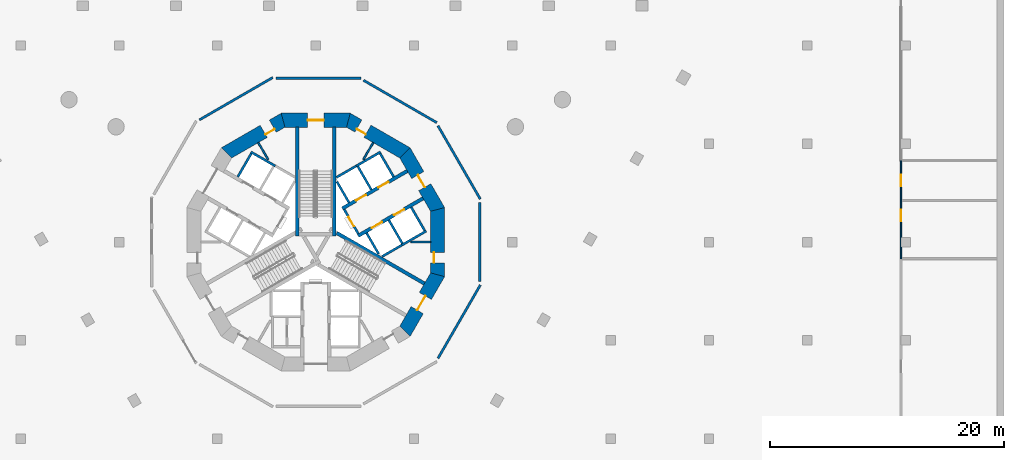
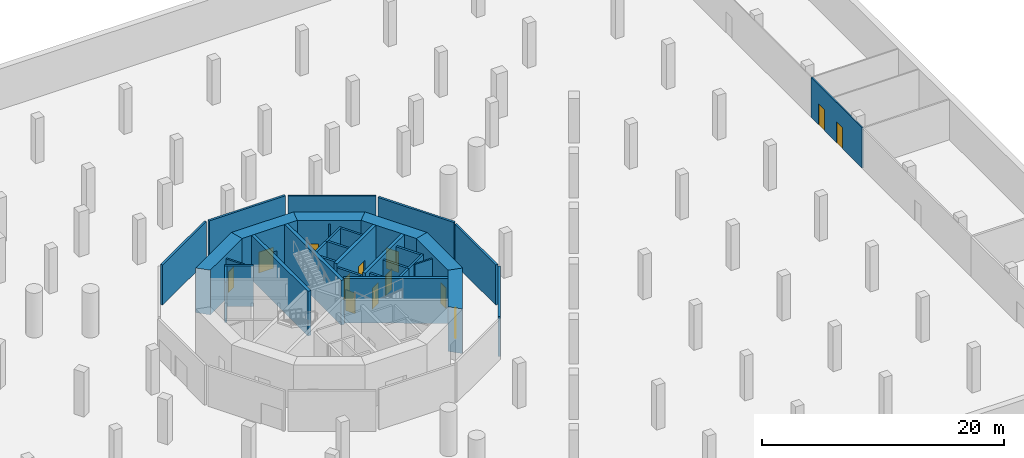
# One storey, part 7 of 21: 34 walls, 13 doors, 13 openings.
"""IFC4 building model written with IfcOpenShell, lengths in metres."""

import ifcopenshell
import ifcopenshell.guid

model = None  # the IFC model being written
_history = None  # IfcOwnerHistory: only IFC2X3 demands one
_inside = {}  # id of a spatial element -> (the spatial element, [elements in it])
_under = {}  # id of a project, library or spatial element -> (it, [spatial elements below it])
_declared = {}  # id of a project -> (the project, [libraries it declares])
_typed = {}  # id of a type object -> (the type object, [elements of that type])
_made_of = {}  # id of a material, layer set ... -> (it, [elements and type objects made of it])


def new_model(schema):
    """Start an empty IFC model of exactly this schema.

    Asked for "IFC4X3", IfcOpenShell would pick the latest addendum, in which some entities
    have other attributes; the version numbers below select the first issue.
    IFC2X3 requires an IfcOwnerHistory on every rooted entity: one is made here for all.
    """
    global model, _history
    if schema == "IFC4X3":
        model = ifcopenshell.file(schema_version=(4, 3, 0, 0))
    else:
        model = ifcopenshell.file(schema=schema)
    _inside.clear()
    _under.clear()
    _declared.clear()
    _typed.clear()
    _made_of.clear()
    _history = None
    if model.schema == "IFC2X3":
        org = make("IfcOrganization", Name="unknown")
        user = make(
            "IfcPersonAndOrganization",
            ThePerson=make("IfcPerson", FamilyName="unknown"),
            TheOrganization=org,
        )
        app = make(
            "IfcApplication",
            ApplicationDeveloper=org,
            Version="unknown",
            ApplicationFullName="unknown",
            ApplicationIdentifier="unknown",
        )
        _history = make(
            "IfcOwnerHistory",
            OwningUser=user,
            OwningApplication=app,
            ChangeAction="ADDED",
            CreationDate=0,
        )
    return model


def make(cls, **values):
    """One entity of the class cls with the attributes given. An attribute that is None is left unset."""
    return model.create_entity(
        cls, **{name: value for name, value in values.items() if value is not None}
    )


def rooted(cls, **values):
    """An entity with a GlobalId (a new one), such as an element, a storey or a relation."""
    return make(cls, GlobalId=ifcopenshell.guid.new(), OwnerHistory=_history, **values)


def si_unit(unit_type, name, prefix=None):
    """IfcSIUnit, for example si_unit("LENGTHUNIT", "METRE", prefix="MILLI")."""
    return make("IfcSIUnit", UnitType=unit_type, Prefix=prefix, Name=name)


def assignment(units):
    """IfcUnitAssignment: the units of a project."""
    return None if units is None else make("IfcUnitAssignment", Units=units)


def point(xyz):
    """IfcCartesianPoint."""
    return None if xyz is None else make("IfcCartesianPoint", Coordinates=xyz)


def direction(xyz):
    """IfcDirection."""
    return None if xyz is None else make("IfcDirection", DirectionRatios=xyz)


def frame(location, z_axis=None, x_axis=None):
    """IfcAxis2Placement3D, a coordinate frame: its origin and axes. An axis left out is left unset."""
    return make(
        "IfcAxis2Placement3D",
        Location=point(location),
        Axis=direction(z_axis),
        RefDirection=direction(x_axis),
    )


def frame_2d(location, x_axis=None):
    """IfcAxis2Placement2D, a coordinate frame in the plane: its origin and x axis."""
    return make(
        "IfcAxis2Placement2D", Location=point(location), RefDirection=direction(x_axis)
    )


def origin():
    """The frame at (0, 0, 0) with its axes left unset."""
    return frame((0.0, 0.0, 0.0))


def place(relative_to, where):
    """IfcLocalPlacement: puts the frame where relative to a parent placement (None: the world)."""
    return make(
        "IfcLocalPlacement", PlacementRelTo=relative_to, RelativePlacement=where
    )


def context(
    kind, dimensions, precision=None, world=None, true_north=None, identifier=None
):
    """IfcGeometricRepresentationContext, for example the 3D "Model" context."""
    return make(
        "IfcGeometricRepresentationContext",
        ContextIdentifier=identifier,
        ContextType=kind,
        CoordinateSpaceDimension=dimensions,
        Precision=precision,
        WorldCoordinateSystem=world,
        TrueNorth=true_north,
    )


def subcontext(parent, identifier, kind, view, scale=None):
    """IfcGeometricRepresentationSubContext, for example "Body" below "Model"."""
    return make(
        "IfcGeometricRepresentationSubContext",
        ContextIdentifier=identifier,
        ContextType=kind,
        ParentContext=parent,
        TargetScale=scale,
        TargetView=view,
    )


def project(units=None, contexts=None):
    """IfcProject with its units and contexts."""
    return rooted(
        "IfcProject",
        Name="project",
        RepresentationContexts=contexts,
        UnitsInContext=assignment(units),
    )


def spatial(cls, under=None, at=None, **own):
    """A site, building, storey or space (cls), placed at a placement, below another one or the project."""
    s = rooted(cls, ObjectPlacement=at, **own)
    if under is not None:
        _under.setdefault(under.id(), (under, []))[1].append(s)
    return s


def polyline(points):
    """IfcPolyline through the points."""
    return make("IfcPolyline", Points=[point(p) for p in points])


def profile(cls, at=None, kind="AREA", **sizes):
    """A parametric profile (cls). Its sizes go by their IFC names, for example OverallWidth=200.0."""
    return make(cls, ProfileType=kind, Position=at, **sizes)


def rectangle(**sizes):
    """IfcRectangleProfileDef."""
    return profile("IfcRectangleProfileDef", **sizes)


def outline(outer, holes=None, kind="AREA"):
    """IfcArbitraryClosedProfileDef: a profile drawn as a closed curve; with holes, ...WithVoids."""
    if holes is None:
        return make("IfcArbitraryClosedProfileDef", ProfileType=kind, OuterCurve=outer)
    return make(
        "IfcArbitraryProfileDefWithVoids",
        ProfileType=kind,
        OuterCurve=outer,
        InnerCurves=holes,
    )


def extrude(swept, where, along, depth):
    """IfcExtrudedAreaSolid: the profile swept, set in the frame where, extruded along a direction by depth."""
    return make(
        "IfcExtrudedAreaSolid",
        SweptArea=swept,
        Position=where,
        ExtrudedDirection=direction(along),
        Depth=depth,
    )


def shape(context_of_items, identifier, shape_type, items):
    """IfcShapeRepresentation: the items that make up one representation, for example the "Body"."""
    return make(
        "IfcShapeRepresentation",
        ContextOfItems=context_of_items,
        RepresentationIdentifier=identifier,
        RepresentationType=shape_type,
        Items=items,
    )


def material(Name=None, Category=None):
    """IfcMaterial."""
    return make("IfcMaterial", Name=Name, Category=Category)


def layer(
    of_material, thickness, ventilated=None, Name=None, Category=None, Priority=None
):
    """IfcMaterialLayer: one layer of a wall or slab, of a material (None: an air gap)."""
    return make(
        "IfcMaterialLayer",
        Material=of_material,
        LayerThickness=thickness,
        IsVentilated=ventilated,
        Name=Name,
        Category=Category,
        Priority=Priority,
    )


def layer_set(layers, Name=None):
    """IfcMaterialLayerSet."""
    return make("IfcMaterialLayerSet", MaterialLayers=layers, LayerSetName=Name)


def made_of(thing, what):
    """Note that an element or type object is made of a material, layer set ...; save() writes the relation."""
    if what is not None:
        _made_of.setdefault(what.id(), (what, []))[1].append(thing)
    return thing


def type_object(cls, material=None, **own):
    """A type object (cls), such as IfcWallType, which elements share."""
    return made_of(rooted(cls, **own), material)


def element(
    cls,
    number,
    at=None,
    inside=None,
    cuts=None,
    type_object=None,
    material=None,
    context=None,
    identifier="Body",
    shape_type=None,
    held_by="IfcProductDefinitionShape",
    body=None,
    shapes=None,
    **own,
):
    """One element of the class cls, such as IfcWall. Its Tag is "e" and its number.

    at: its placement. inside: the storey or other place that contains it. cuts: it is an
    opening in that element (IfcRelVoidsElement). A single representation is given by context,
    identifier, shape_type and body (its items); several are given by shapes. held_by: the class
    of the entity that holds the representations. save() writes the other relations.
    """
    e = rooted(cls, Tag="e%d" % number, ObjectPlacement=at, **own)
    if body is not None:
        shapes = [shape(context, identifier, shape_type, body)]
    if shapes is not None:
        e.Representation = make(held_by, Representations=shapes)
    if inside is not None:
        _inside.setdefault(inside.id(), (inside, []))[1].append(e)
    if cuts is not None:
        rooted(
            "IfcRelVoidsElement", RelatingBuildingElement=cuts, RelatedOpeningElement=e
        )
    if type_object is not None:
        _typed.setdefault(type_object.id(), (type_object, []))[1].append(e)
    return made_of(e, material)


def fill(opening, filler):
    """IfcRelFillsElement: the door or window that sits in an opening."""
    return rooted(
        "IfcRelFillsElement",
        RelatingOpeningElement=opening,
        RelatedBuildingElement=filler,
    )


def aggregate(whole, parts):
    """IfcRelAggregates: a whole, such as a stair, and the parts it consists of."""
    return rooted("IfcRelAggregates", RelatingObject=whole, RelatedObjects=parts)


def save(model, path):
    """Write the relations noted so far, then the file.

    IfcRelAggregates (storeys below a building ...), IfcRelContainedInSpatialStructure (elements
    in a storey), IfcRelDefinesByType, IfcRelAssociatesMaterial and IfcRelDeclares: one each for
    every whole, place, type object, material and project.
    """
    for whole, parts in _under.values():
        aggregate(whole, parts)
    for where, things in _inside.values():
        rooted(
            "IfcRelContainedInSpatialStructure",
            RelatedElements=things,
            RelatingStructure=where,
        )
    for kind, things in _typed.values():
        rooted("IfcRelDefinesByType", RelatedObjects=things, RelatingType=kind)
    for what, things in _made_of.values():
        rooted("IfcRelAssociatesMaterial", RelatedObjects=things, RelatingMaterial=what)
    for by, libraries in _declared.values():
        rooted("IfcRelDeclares", RelatingContext=by, RelatedDefinitions=libraries)
    model.write(path)


model = new_model("IFC4")

# Units and contexts
model_context = context("Model", 3, precision=1e-05, world=origin(), true_north=direction((0.0, 1.0)))
body_context = subcontext(model_context, "Body", "Model", "MODEL_VIEW")
ifc_project = project(units=[si_unit("LENGTHUNIT", "METRE"), si_unit("AREAUNIT", "SQUARE_METRE"), si_unit("VOLUMEUNIT", "CUBIC_METRE"), si_unit("PLANEANGLEUNIT", "RADIAN"), si_unit("MASSUNIT", "GRAM", prefix="KILO")], contexts=[model_context])

# Site, building, storey
site_placement = place(None, origin())
site = spatial("IfcSite", under=ifc_project, at=site_placement, CompositionType="ELEMENT")
building_placement = place(site_placement, origin())
building = spatial("IfcBuilding", under=site, at=building_placement, Name="Trine Commons Tower", CompositionType="ELEMENT")
storey_placement = place(building_placement, frame((0.0, 0.0, -4.5)))
storey = spatial("IfcBuildingStorey", under=building, at=storey_placement, Name="B1", CompositionType="ELEMENT", Elevation=-4.5)

# Walls
ifc_material_1 = material(Name="Plasterboard partition on steel studs", Category="steel")
ifc_layer_1 = layer(ifc_material_1, 0.14990234375)
ifc_layer_set_1 = layer_set([ifc_layer_1], Name="Plasterboard partition on steel studs")
wall_type_1 = type_object("IfcWallType", Name="Core room partition 150 mm, EI 60", PredefinedType="PARTITIONING", material=ifc_layer_set_1)
for number, where, z_axis, x_axis, name in (
    (1, (75.094970703125, 70.9970703125, 0.0), (0.0, 0.0, 1.0), (0.500115728942, -0.865958577338, 0.0), "Core room partition B1"),
    (2, (84.905029296875, 70.9970703125, 0.0), (0.0, 0.0, 1.0), (-0.500115728942, -0.865958577338, 0.0), "Core room partition B1"),
):
    element("IfcWall", number, at=place(storey_placement, frame(where, z_axis=z_axis, x_axis=x_axis)), inside=storey, type_object=wall_type_1, Name=name, PredefinedType="PARTITIONING", context=body_context, shape_type="SweptSolid", body=[
        extrude(rectangle(XDim=1.68359375, YDim=0.14990234375, at=frame_2d((0.841796875, 0.0))), origin(), (0.0, 0.0, 1.0), 4.10009765625),
    ])
wall_1_placement = place(storey_placement, frame((89.81201171875, 62.5, 0.0), z_axis=(0.0, 0.0, 1.0), x_axis=(-1.0, 0.0, 0.0)))
element("IfcWall", 3, at=wall_1_placement, inside=storey, type_object=wall_type_1, Name="Core room partition B1", PredefinedType="PARTITIONING", context=body_context, shape_type="SweptSolid", body=[
    extrude(rectangle(XDim=1.68310546875, YDim=0.14990234375, at=frame_2d((0.841552734375, 0.0))), origin(), (0.0, 0.0, 1.0), 4.10009765625),
])
ifc_material_2 = material(Name="Plasterboard on steel stud", Category="steel")
ifc_layer_2 = layer(ifc_material_2, 0.199951171875)
ifc_layer_set_2 = layer_set([ifc_layer_2], Name="Plasterboard on steel stud")
wall_type_2 = type_object("IfcWallType", Name="Fire wall 200 mm, EI 120", PredefinedType="PARTITIONING", material=ifc_layer_set_2)
for number, where, z_axis, x_axis, name in (
    (4, (70.06591796875, 72.94384765625, 0.0), (0.0, 0.0, 1.0), (0.866037813005, 0.499978505984, 0.0), "Partition B1015"),
    (5, (76.618896484375, 76.511474609375, 0.0), (0.0, 0.0, 1.0), (1.0, 0.0, 0.0), "Partition B1017"),
):
    element("IfcWall", number, at=place(storey_placement, frame(where, z_axis=z_axis, x_axis=x_axis)), inside=storey, type_object=wall_type_2, Name=name, PredefinedType="PARTITIONING", context=body_context, shape_type="SweptSolid", body=[
        extrude(rectangle(XDim=7.235595703125, YDim=0.199951171875, at=frame_2d((3.61767578125, 0.0))), origin(), (0.0, 0.0, 1.0), 4.050048828125),
    ])
wall_2_placement = place(storey_placement, frame((84.07763671875, 76.324951171875, 0.0), z_axis=(0.0, 0.0, 1.0), x_axis=(0.866029378036, -0.499993116331, 0.0)))
element("IfcWall", 6, at=wall_2_placement, inside=storey, type_object=wall_type_2, Name="Partition B1019", PredefinedType="PARTITIONING", context=body_context, shape_type="SweptSolid", body=[
    extrude(rectangle(XDim=7.2353515625, YDim=0.199951171875, at=frame_2d((3.61767578125, 0.0))), origin(), (0.0, 0.0, 1.0), 4.050048828125),
])
for number, where, z_axis, x_axis, name in (
    (7, (90.44384765625, 52.56591796875, 0.0), (0.0, 0.0, 1.0), (0.499978505984, 0.866037813005, 0.0), "Partition B1020"),
    (8, (90.44384765625, 72.43408203125, 0.0), (0.0, 0.0, 1.0), (0.499978505984, -0.866037813005, 0.0), "Partition B1021"),
):
    element("IfcWall", number, at=place(storey_placement, frame(where, z_axis=z_axis, x_axis=x_axis)), inside=storey, type_object=wall_type_2, Name=name, PredefinedType="PARTITIONING", context=body_context, shape_type="SweptSolid", body=[
        extrude(rectangle(XDim=7.235595703125, YDim=0.199951171875, at=frame_2d((3.61767578125, 0.0))), origin(), (0.0, 0.0, 1.0), 4.050048828125),
    ])
wall_3_placement = place(storey_placement, frame((94.011474609375, 59.118896484375, 0.0), z_axis=(0.0, 0.0, 1.0), x_axis=(0.0, 1.0, 0.0)))
element("IfcWall", 9, at=wall_3_placement, inside=storey, type_object=wall_type_2, Name="Partition B1022", PredefinedType="PARTITIONING", context=body_context, shape_type="SweptSolid", body=[
    extrude(rectangle(XDim=6.76220703125, YDim=0.199951171875, at=frame_2d((3.381103515625, 0.0))), origin(), (0.0, 0.0, 1.0), 4.050048828125),
])

# Wall, opening, door
ifc_material_3 = material(Name="Fire-rated gypsum shaft wall system")
ifc_layer_3 = layer(ifc_material_3, 0.199951171875)
ifc_layer_set_3 = layer_set([ifc_layer_3], Name="Fire-rated gypsum shaft wall system")
wall_type_3 = type_object("IfcWallType", Name="Lobby end wall 200 mm, EI 120", PredefinedType="PARTITIONING", material=ifc_layer_set_3)
wall_4_placement = place(storey_placement, frame((83.631103515625, 63.2109375, 0.0), z_axis=(0.0, 0.0, 1.0), x_axis=(-0.50012165622, 0.865955154139, 0.0)))
wall_4 = element("IfcWall", 10, at=wall_4_placement, inside=storey, type_object=wall_type_3, Name="Lobby end wall B1", PredefinedType="PARTITIONING", context=body_context, shape_type="SweptSolid", body=[
    extrude(rectangle(XDim=2.39990234375, YDim=0.199951171875, at=frame_2d((1.199951171875, 0.0))), origin(), (0.0, 0.0, 1.0), 4.10009765625),
])
opening_1_placement = place(wall_4_placement, frame((0.749755859375, 0.0, 0.0)))
opening_1 = element("IfcOpeningElement", 11, at=opening_1_placement, cuts=wall_4, Name="Opening K02.05", PredefinedType="OPENING", context=body_context, shape_type="SweptSolid", body=[
    extrude(rectangle(XDim=0.89990234375, YDim=2.10009765625, at=frame_2d((0.449951171875, 1.050048828125))), frame((0.0, 0.10986328125, 0.0), z_axis=(0.0, -1.0, 0.0), x_axis=(1.0, 0.0, 0.0)), (0.0, 0.0, 1.0), 0.219970703125),
])
ifc_material_4 = material(Name="Steel door leaf, fire-rated", Category="steel")
door_type_1 = type_object("IfcDoorType", Name="Riser access door, single leaf 900 x 2100, FD60", OperationType="SINGLE_SWING_LEFT", PredefinedType="DOOR", material=ifc_material_4)
door_1_placement = place(opening_1_placement, frame((0.89990234375, 0.0, 0.0), z_axis=(0.0, 0.0, 1.0), x_axis=(-1.0, 0.0, 0.0)))
door_1 = element("IfcDoor", 12, at=door_1_placement, inside=storey, type_object=door_type_1, Name="Riser door, Electrical riser B1", OperationType="SINGLE_SWING_LEFT", OverallHeight=2.10009765625, OverallWidth=0.89990234375, PredefinedType="DOOR", context=body_context, shape_type="SweptSolid", body=[
    extrude(rectangle(XDim=0.89990234375, YDim=2.10009765625, at=frame_2d((0.449951171875, 1.050048828125))), frame((0.0, 0.02490234375, 0.0), z_axis=(0.0, -1.0, 0.0), x_axis=(1.0, 0.0, 0.0)), (0.0, 0.0, 1.0), 0.050048828125),
])
fill(opening_1, door_1)

ifc_material_5 = material(Name="Concrete C80/95", Category="concrete")
ifc_layer_4 = layer(ifc_material_5, 1.199951171875)
ifc_layer_set_4 = layer_set([ifc_layer_4], Name="Concrete C80/95")
wall_type_4 = type_object("IfcWallType", Name="RC shear wall 1200 mm, C80/95", PredefinedType="SHEAR", material=ifc_layer_set_4)
wall_5_placement = place(storey_placement, frame((90.41162109375, 59.549560546875, 0.0), z_axis=(0.0, 0.0, 1.0), x_axis=(0.0, 1.0, 0.0)))
wall_5 = element("IfcWall", 13, at=wall_5_placement, inside=storey, type_object=wall_type_4, Name="Core wall CWA-01 B1", PredefinedType="SHEAR", context=body_context, shape_type="SweptSolid", body=[
    extrude(outline(polyline([(0.0, -0.60009765625), (5.90087890625, -0.60009765625), (5.57958984375, 0.60009765625), (0.321533203125, 0.60009765625), (0.0, -0.60009765625)])), origin(), (0.0, 0.0, 1.0), 4.5),
])
opening_2_placement = place(wall_5_placement, frame((1.175537109375, 0.0, 0.0)))
opening_2 = element("IfcOpeningElement", 14, at=opening_2_placement, cuts=wall_5, Name="Opening K02.17", PredefinedType="OPENING", context=body_context, shape_type="SweptSolid", body=[
    extrude(rectangle(XDim=0.89990234375, YDim=2.10009765625, at=frame_2d((0.449951171875, 1.050048828125))), frame((0.0, 0.60986328125, 0.0), z_axis=(0.0, -1.0, 0.0), x_axis=(1.0, 0.0, 0.0)), (0.0, 0.0, 1.0), 1.219970703125),
])
door_type_2 = type_object("IfcDoorType", Name="Core room door, single leaf 900 x 2100, FD30S", OperationType="SINGLE_SWING_LEFT", PredefinedType="DOOR", material=ifc_material_4)
door_2_placement = place(opening_2_placement, origin())
door_2 = element("IfcDoor", 15, at=door_2_placement, inside=storey, type_object=door_type_2, Name="Door to Plant room B1", OperationType="SINGLE_SWING_LEFT", OverallHeight=2.10009765625, OverallWidth=0.89990234375, PredefinedType="DOOR", context=body_context, shape_type="SweptSolid", body=[
    extrude(rectangle(XDim=0.89990234375, YDim=2.10009765625, at=frame_2d((0.449951171875, 1.050048828125))), frame((0.0, 0.3251953125, 0.0), z_axis=(0.0, -1.0, 0.0), x_axis=(1.0, 0.0, 0.0)), (0.0, 0.0, 1.0), 0.050048828125),
])
fill(opening_2, door_2)

wall_6_placement = place(storey_placement, frame((90.491943359375, 65.150390625, 0.0), z_axis=(0.0, 0.0, 1.0), x_axis=(-0.499979111662, 0.866037463336, 0.0)))
wall_6 = element("IfcWall", 16, at=wall_6_placement, inside=storey, type_object=wall_type_4, Name="Core wall CWA-02 B1", PredefinedType="SHEAR", context=body_context, shape_type="SweptSolid", body=[
    extrude(outline(polyline([(0.0, -0.60009765625), (5.901123046875, -0.60009765625), (5.57958984375, 0.60009765625), (0.321533203125, 0.60009765625), (0.0, -0.60009765625)])), origin(), (0.0, 0.0, 1.0), 4.5),
])
opening_3_placement = place(wall_6_placement, frame((2.3505859375, 0.0, 0.0)))
opening_3 = element("IfcOpeningElement", 17, at=opening_3_placement, cuts=wall_6, Name="Opening K02.04", PredefinedType="OPENING", context=body_context, shape_type="SweptSolid", body=[
    extrude(rectangle(XDim=1.199951171875, YDim=2.10009765625, at=frame_2d((0.60009765625, 1.050048828125))), frame((0.0, 0.60986328125, 0.0), z_axis=(0.0, -1.0, 0.0), x_axis=(1.0, 0.0, 0.0)), (0.0, 0.0, 1.0), 1.219970703125),
])
ifc_material_6 = material(Name="Steel door leaves, fire-rated", Category="steel")
door_type_3 = type_object("IfcDoorType", Name="Lobby door, double leaf 1200 x 2100, FD60", OperationType="DOUBLE_DOOR_SINGLE_SWING", PredefinedType="DOOR", material=ifc_material_6)
door_3_placement = place(opening_3_placement, origin())
door_3 = element("IfcDoor", 18, at=door_3_placement, inside=storey, type_object=door_type_3, Name="Lobby door, Passenger lift lobby A B1", OperationType="DOUBLE_DOOR_SINGLE_SWING", OverallHeight=2.10009765625, OverallWidth=1.199951171875, PredefinedType="DOOR", context=body_context, shape_type="SweptSolid", body=[
    extrude(rectangle(XDim=1.199951171875, YDim=2.10009765625, at=frame_2d((0.60009765625, 1.050048828125))), frame((0.0, 0.02490234375, 0.0), z_axis=(0.0, -1.0, 0.0), x_axis=(1.0, 0.0, 0.0)), (0.0, 0.0, 1.0), 0.050048828125),
])
fill(opening_3, door_3)

wall_7_placement = place(storey_placement, frame((87.760986328125, 70.04150390625, 0.0), z_axis=(0.0, 0.0, 1.0), x_axis=(-0.866037463336, 0.499979111662, 0.0)))
wall_7 = element("IfcWall", 19, at=wall_7_placement, inside=storey, type_object=wall_type_4, Name="Core wall CWA-03 B1", PredefinedType="SHEAR", context=body_context, shape_type="SweptSolid", body=[
    extrude(outline(polyline([(0.0, -0.60009765625), (5.901123046875, -0.60009765625), (5.57958984375, 0.60009765625), (0.321533203125, 0.60009765625), (0.0, -0.60009765625)])), origin(), (0.0, 0.0, 1.0), 4.5),
])
opening_4_placement = place(wall_7_placement, frame((3.8515625, 0.0, 0.0)))
opening_4 = element("IfcOpeningElement", 20, at=opening_4_placement, cuts=wall_7, Name="Opening K02.12", PredefinedType="OPENING", context=body_context, shape_type="SweptSolid", body=[
    extrude(rectangle(XDim=0.89990234375, YDim=2.10009765625, at=frame_2d((0.449951171875, 1.050048828125))), frame((0.0, 0.60986328125, 0.0), z_axis=(0.0, -1.0, 0.0), x_axis=(1.0, 0.0, 0.0)), (0.0, 0.0, 1.0), 1.219970703125),
])
door_4_placement = place(opening_4_placement, origin())
door_4 = element("IfcDoor", 21, at=door_4_placement, inside=storey, type_object=door_type_2, Name="Door to Pump room B1", OperationType="SINGLE_SWING_RIGHT", OverallHeight=2.10009765625, OverallWidth=0.89990234375, PredefinedType="DOOR", context=body_context, shape_type="SweptSolid", body=[
    extrude(rectangle(XDim=0.89990234375, YDim=2.10009765625, at=frame_2d((0.449951171875, 1.050048828125))), frame((0.0, 0.3251953125, 0.0), z_axis=(0.0, -1.0, 0.0), x_axis=(1.0, 0.0, 0.0)), (0.0, 0.0, 1.0), 0.050048828125),
])
fill(opening_4, door_4)

wall_8_placement = place(storey_placement, frame((82.950439453125, 72.91162109375, 0.0), z_axis=(0.0, 0.0, 1.0), x_axis=(-1.0, 0.0, 0.0)))
wall_8 = element("IfcWall", 22, at=wall_8_placement, inside=storey, type_object=wall_type_4, Name="Core wall CWA-04 B1", PredefinedType="SHEAR", context=body_context, shape_type="SweptSolid", body=[
    extrude(outline(polyline([(0.0, -0.60009765625), (5.90087890625, -0.60009765625), (5.57958984375, 0.60009765625), (0.321533203125, 0.60009765625), (0.0, -0.60009765625)])), origin(), (0.0, 0.0, 1.0), 4.5),
])
opening_5_placement = place(wall_8_placement, frame((2.25048828125, 0.0, 0.0)))
opening_5 = element("IfcOpeningElement", 23, at=opening_5_placement, cuts=wall_8, Name="Opening K02.01", PredefinedType="OPENING", context=body_context, shape_type="SweptSolid", body=[
    extrude(rectangle(XDim=1.39990234375, YDim=2.10009765625, at=frame_2d((0.699951171875, 1.050048828125))), frame((0.0, 0.60986328125, 0.0), z_axis=(0.0, -1.0, 0.0), x_axis=(1.0, 0.0, 0.0)), (0.0, 0.0, 1.0), 1.219970703125),
])
door_type_4 = type_object("IfcDoorType", Name="Stair door, double leaf 1400 x 2100, FD90", OperationType="DOUBLE_DOOR_SINGLE_SWING", PredefinedType="DOOR", material=ifc_material_6)
door_5_placement = place(opening_5_placement, origin())
door_5 = element("IfcDoor", 24, at=door_5_placement, inside=storey, type_object=door_type_4, Name="Stair door to Exit stair ST1A B1", OperationType="DOUBLE_DOOR_SINGLE_SWING", OverallHeight=2.10009765625, OverallWidth=1.39990234375, PredefinedType="DOOR", context=body_context, shape_type="SweptSolid", body=[
    extrude(rectangle(XDim=1.39990234375, YDim=2.10009765625, at=frame_2d((0.699951171875, 1.050048828125))), frame((0.0, 0.02490234375, 0.0), z_axis=(0.0, -1.0, 0.0), x_axis=(1.0, 0.0, 0.0)), (0.0, 0.0, 1.0), 0.050048828125),
])
fill(opening_5, door_5)

wall_9_placement = place(storey_placement, frame((77.349609375, 72.991943359375, 0.0), z_axis=(0.0, 0.0, 1.0), x_axis=(-0.866037463336, -0.499979111662, 0.0)))
wall_9 = element("IfcWall", 25, at=wall_9_placement, inside=storey, type_object=wall_type_4, Name="Core wall CWA-05 B1", PredefinedType="SHEAR", context=body_context, shape_type="SweptSolid", body=[
    extrude(outline(polyline([(0.0, -0.60009765625), (5.901123046875, -0.60009765625), (5.57958984375, 0.60009765625), (0.321533203125, 0.60009765625), (0.0, -0.60009765625)])), origin(), (0.0, 0.0, 1.0), 4.5),
])
opening_6_placement = place(wall_9_placement, frame((1.1748046875, 0.0, 0.0)))
opening_6 = element("IfcOpeningElement", 26, at=opening_6_placement, cuts=wall_9, Name="Opening K02.13", PredefinedType="OPENING", context=body_context, shape_type="SweptSolid", body=[
    extrude(rectangle(XDim=0.89990234375, YDim=2.10009765625, at=frame_2d((0.449951171875, 1.050048828125))), frame((0.0, 0.60986328125, 0.0), z_axis=(0.0, -1.0, 0.0), x_axis=(1.0, 0.0, 0.0)), (0.0, 0.0, 1.0), 1.219970703125),
])
door_6_placement = place(opening_6_placement, origin())
door_6 = element("IfcDoor", 27, at=door_6_placement, inside=storey, type_object=door_type_2, Name="Door to Electrical room B1", OperationType="SINGLE_SWING_LEFT", OverallHeight=2.10009765625, OverallWidth=0.89990234375, PredefinedType="DOOR", context=body_context, shape_type="SweptSolid", body=[
    extrude(rectangle(XDim=0.89990234375, YDim=2.10009765625, at=frame_2d((0.449951171875, 1.050048828125))), frame((0.0, 0.3251953125, 0.0), z_axis=(0.0, -1.0, 0.0), x_axis=(1.0, 0.0, 0.0)), (0.0, 0.0, 1.0), 0.050048828125),
])
fill(opening_6, door_6)

wall_10_placement = place(storey_placement, frame((87.54150390625, 54.739013671875, 0.0), z_axis=(0.0, 0.0, 1.0), x_axis=(0.499979111662, 0.866037463336, 0.0)))
wall_10 = element("IfcWall", 28, at=wall_10_placement, inside=storey, type_object=wall_type_4, Name="Core wall CWA-12 B1", PredefinedType="SHEAR", context=body_context, shape_type="SweptSolid", body=[
    extrude(outline(polyline([(0.0, -0.60009765625), (5.901123046875, -0.60009765625), (5.57958984375, 0.60009765625), (0.321533203125, 0.60009765625), (0.0, -0.60009765625)])), origin(), (0.0, 0.0, 1.0), 4.5),
])
opening_7_placement = place(wall_10_placement, frame((2.25048828125, 0.0, 0.0)))
opening_7 = element("IfcOpeningElement", 29, at=opening_7_placement, cuts=wall_10, Name="Opening K02.03", PredefinedType="OPENING", context=body_context, shape_type="SweptSolid", body=[
    extrude(rectangle(XDim=1.39990234375, YDim=2.10009765625, at=frame_2d((0.699951171875, 1.050048828125))), frame((0.0, 0.60986328125, 0.0), z_axis=(0.0, -1.0, 0.0), x_axis=(1.0, 0.0, 0.0)), (0.0, 0.0, 1.0), 1.219970703125),
])
door_7_placement = place(opening_7_placement, origin())
door_7 = element("IfcDoor", 30, at=door_7_placement, inside=storey, type_object=door_type_4, Name="Stair door to Exit stair ST3A B1", OperationType="DOUBLE_DOOR_SINGLE_SWING", OverallHeight=2.10009765625, OverallWidth=1.39990234375, PredefinedType="DOOR", context=body_context, shape_type="SweptSolid", body=[
    extrude(rectangle(XDim=1.39990234375, YDim=2.10009765625, at=frame_2d((0.699951171875, 1.050048828125))), frame((0.0, 0.02490234375, 0.0), z_axis=(0.0, -1.0, 0.0), x_axis=(1.0, 0.0, 0.0)), (0.0, 0.0, 1.0), 0.050048828125),
])
fill(opening_7, door_7)

# Wall, openings, doors
ifc_layer_5 = layer(ifc_material_5, 0.300048828125)
ifc_layer_set_5 = layer_set([ifc_layer_5], Name="Concrete C80/95")
wall_type_5 = type_object("IfcWallType", Name="RC shear wall 300 mm, C80/95", PredefinedType="SHEAR", material=ifc_layer_set_5)
wall_11_placement = place(storey_placement, frame((82.26904296875, 65.368896484375, 0.0), z_axis=(0.0, 0.0, 1.0), x_axis=(0.866022631842, 0.500004801114, 0.0)))
wall_11 = element("IfcWall", 31, at=wall_11_placement, inside=storey, type_object=wall_type_5, Name="Core wall SWA-05 B1", PredefinedType="SHEAR", context=body_context, shape_type="SweptSolid", body=[
    extrude(rectangle(XDim=6.412109375, YDim=0.300048828125, at=frame_2d((3.2060546875, 0.0))), origin(), (0.0, 0.0, 1.0), 4.5),
])
opening_8_placement = place(wall_11_placement, frame((3.55029296875, 0.0, 0.0)))
opening_8 = element("IfcOpeningElement", 32, at=opening_8_placement, cuts=wall_11, Name="Opening LD1", PredefinedType="OPENING", context=body_context, shape_type="SweptSolid", body=[
    extrude(rectangle(XDim=1.0, YDim=2.10009765625, at=frame_2d((0.5, 1.050048828125))), frame((0.0, 0.159912109375, 0.0), z_axis=(0.0, -1.0, 0.0), x_axis=(1.0, 0.0, 0.0)), (0.0, 0.0, 1.0), 0.320068359375),
])
opening_9_placement = place(wall_11_placement, frame((1.3505859375, 0.0, 0.0)))
opening_9 = element("IfcOpeningElement", 33, at=opening_9_placement, cuts=wall_11, Name="Opening LD5", PredefinedType="OPENING", context=body_context, shape_type="SweptSolid", body=[
    extrude(rectangle(XDim=1.0, YDim=2.10009765625, at=frame_2d((0.5, 1.050048828125))), frame((0.0, 0.159912109375, 0.0), z_axis=(0.0, -1.0, 0.0), x_axis=(1.0, 0.0, 0.0)), (0.0, 0.0, 1.0), 0.320068359375),
])
ifc_material_7 = material(Name="Stainless steel sliding door leaves", Category="steel")
door_type_5 = type_object("IfcDoorType", Name="Lift landing door, centre-opening sliding 1000 x 2100, FD90", OperationType="DOUBLE_DOOR_SLIDING", PredefinedType="DOOR", material=ifc_material_7)
door_8_placement = place(opening_8_placement, origin())
door_8 = element("IfcDoor", 34, at=door_8_placement, inside=storey, type_object=door_type_5, Name="Lift landing door LR1 B1", OperationType="DOUBLE_DOOR_SLIDING", OverallHeight=2.10009765625, OverallWidth=1.0, PredefinedType="DOOR", context=body_context, shape_type="SweptSolid", body=[
    extrude(rectangle(XDim=1.0, YDim=2.10009765625, at=frame_2d((0.5, 1.050048828125))), frame((0.0, 0.02490234375, 0.0), z_axis=(0.0, -1.0, 0.0), x_axis=(1.0, 0.0, 0.0)), (0.0, 0.0, 1.0), 0.050048828125),
])
fill(opening_8, door_8)
door_9_placement = place(opening_9_placement, origin())
door_9 = element("IfcDoor", 35, at=door_9_placement, inside=storey, type_object=door_type_5, Name="Lift landing door HR1 B1", OperationType="DOUBLE_DOOR_SLIDING", OverallHeight=2.10009765625, OverallWidth=1.0, PredefinedType="DOOR", context=body_context, shape_type="SweptSolid", body=[
    extrude(rectangle(XDim=1.0, YDim=2.10009765625, at=frame_2d((0.5, 1.050048828125))), frame((0.0, 0.02490234375, 0.0), z_axis=(0.0, -1.0, 0.0), x_axis=(1.0, 0.0, 0.0)), (0.0, 0.0, 1.0), 0.050048828125),
])
fill(opening_9, door_9)

wall_12_placement = place(storey_placement, frame((83.618896484375, 63.031005859375, 0.0), z_axis=(0.0, 0.0, 1.0), x_axis=(0.866032150378, 0.499988314375, 0.0)))
wall_12 = element("IfcWall", 36, at=wall_12_placement, inside=storey, type_object=wall_type_5, Name="Core wall SWA-06 B1", PredefinedType="SHEAR", context=body_context, shape_type="SweptSolid", body=[
    extrude(rectangle(XDim=6.412353515625, YDim=0.300048828125, at=frame_2d((3.2060546875, 0.0))), origin(), (0.0, 0.0, 1.0), 4.5),
])
opening_10_placement = place(wall_12_placement, frame((3.55029296875, 0.0, 0.0)))
opening_10 = element("IfcOpeningElement", 37, at=opening_10_placement, cuts=wall_12, Name="Opening LD2", PredefinedType="OPENING", context=body_context, shape_type="SweptSolid", body=[
    extrude(rectangle(XDim=1.0, YDim=2.10009765625, at=frame_2d((0.5, 1.050048828125))), frame((0.0, 0.159912109375, 0.0), z_axis=(0.0, -1.0, 0.0), x_axis=(1.0, 0.0, 0.0)), (0.0, 0.0, 1.0), 0.320068359375),
])
opening_11_placement = place(wall_12_placement, frame((1.350341796875, 0.0, 0.0)))
opening_11 = element("IfcOpeningElement", 38, at=opening_11_placement, cuts=wall_12, Name="Opening LD6", PredefinedType="OPENING", context=body_context, shape_type="SweptSolid", body=[
    extrude(rectangle(XDim=1.0, YDim=2.10009765625, at=frame_2d((0.5, 1.050048828125))), frame((0.0, 0.159912109375, 0.0), z_axis=(0.0, -1.0, 0.0), x_axis=(1.0, 0.0, 0.0)), (0.0, 0.0, 1.0), 0.320068359375),
])
door_10_placement = place(opening_10_placement, origin())
door_10 = element("IfcDoor", 39, at=door_10_placement, inside=storey, type_object=door_type_5, Name="Lift landing door LR2 B1", OperationType="DOUBLE_DOOR_SLIDING", OverallHeight=2.10009765625, OverallWidth=1.0, PredefinedType="DOOR", context=body_context, shape_type="SweptSolid", body=[
    extrude(rectangle(XDim=1.0, YDim=2.10009765625, at=frame_2d((0.5, 1.050048828125))), frame((0.0, 0.02490234375, 0.0), z_axis=(0.0, -1.0, 0.0), x_axis=(1.0, 0.0, 0.0)), (0.0, 0.0, 1.0), 0.050048828125),
])
fill(opening_10, door_10)
door_11_placement = place(opening_11_placement, origin())
door_11 = element("IfcDoor", 40, at=door_11_placement, inside=storey, type_object=door_type_5, Name="Lift landing door HR2 B1", OperationType="DOUBLE_DOOR_SLIDING", OverallHeight=2.10009765625, OverallWidth=1.0, PredefinedType="DOOR", context=body_context, shape_type="SweptSolid", body=[
    extrude(rectangle(XDim=1.0, YDim=2.10009765625, at=frame_2d((0.5, 1.050048828125))), frame((0.0, 0.02490234375, 0.0), z_axis=(0.0, -1.0, 0.0), x_axis=(1.0, 0.0, 0.0)), (0.0, 0.0, 1.0), 0.050048828125),
])
fill(opening_11, door_11)

# Walls
for number, where, z_axis, x_axis, name in (
    (41, (78.425048828125, 63.0009765625, 0.0), (0.0, 0.0, 1.0), (0.0, 1.0, 0.0), "Core wall SWA-08 B1"),
    (42, (81.574951171875, 63.0009765625, 0.0), (0.0, 0.0, 1.0), (0.0, 1.0, 0.0), "Core wall SWA-17 B1"),
):
    element("IfcWall", number, at=place(storey_placement, frame(where, z_axis=z_axis, x_axis=x_axis)), inside=storey, type_object=wall_type_5, Name=name, PredefinedType="SHEAR", context=body_context, shape_type="SweptSolid", body=[
        extrude(rectangle(XDim=9.31103515625, YDim=0.300048828125, at=frame_2d((4.655517578125, 0.0))), origin(), (0.0, 0.0, 1.0), 4.5),
    ])
wall_13_placement = place(storey_placement, frame((81.800048828125, 63.280029296875, 0.0), z_axis=(0.0, 0.0, 1.0), x_axis=(0.865965399159, -0.500103916661, 0.0)))
element("IfcWall", 43, at=wall_13_placement, inside=storey, type_object=wall_type_5, Name="Core wall SWA-18 B1", PredefinedType="SHEAR", context=body_context, shape_type="SweptSolid", body=[
    extrude(rectangle(XDim=8.642333984375, YDim=0.300048828125, at=frame_2d((4.3212890625, 0.0))), origin(), (0.0, 0.0, 1.0), 4.5),
])
ifc_layer_6 = layer(ifc_material_3, 0.199951171875)
ifc_layer_set_6 = layer_set([ifc_layer_6], Name="Fire-rated gypsum shaft wall system")
wall_type_6 = type_object("IfcWallType", Name="Shaft wall 200 mm, EI 120", PredefinedType="PARTITIONING", material=ifc_layer_set_6)
wall_14_placement = place(storey_placement, frame((73.344970703125, 68.073974609375, 0.0), z_axis=(0.0, 0.0, 1.0), x_axis=(0.500215680983, 0.865900844496, 0.0)))
element("IfcWall", 44, at=wall_14_placement, inside=storey, type_object=wall_type_6, Name="Shaft wall B1", PredefinedType="PARTITIONING", context=body_context, shape_type="SweptSolid", body=[
    extrude(rectangle(XDim=2.29931640625, YDim=0.199951171875, at=frame_2d((1.149658203125, 0.0))), origin(), (0.0, 0.0, 1.0), 4.10009765625),
])
wall_15_placement = place(storey_placement, frame((76.5380859375, 69.001953125, 0.0), z_axis=(0.0, 0.0, 1.0), x_axis=(-0.866202511239, 0.499693115345, 0.0)))
element("IfcWall", 45, at=wall_15_placement, inside=storey, type_object=wall_type_6, Name="Shaft wall B1", PredefinedType="PARTITIONING", context=body_context, shape_type="SweptSolid", body=[
    extrude(rectangle(XDim=2.4013671875, YDim=0.199951171875, at=frame_2d((1.20068359375, 0.0))), origin(), (0.0, 0.0, 1.0), 4.10009765625),
])
wall_16_placement = place(storey_placement, frame((81.77490234375, 68.028076171875, 0.0), z_axis=(0.0, 0.0, 1.0), x_axis=(0.866052014814, 0.499953905513, 0.0)))
element("IfcWall", 46, at=wall_16_placement, inside=storey, type_object=wall_type_6, Name="Shaft wall B1", PredefinedType="PARTITIONING", context=body_context, shape_type="SweptSolid", body=[
    extrude(rectangle(XDim=1.947998046875, YDim=0.199951171875, at=frame_2d((0.97412109375, 0.0))), origin(), (0.0, 0.0, 1.0), 4.10009765625),
])
wall_17_placement = place(storey_placement, frame((82.843994140625, 65.8740234375, 0.0), z_axis=(0.0, 0.0, 1.0), x_axis=(-0.499865770674, 0.866102887253, 0.0)))
element("IfcWall", 47, at=wall_17_placement, inside=storey, type_object=wall_type_6, Name="Shaft wall B1", PredefinedType="PARTITIONING", context=body_context, shape_type="SweptSolid", body=[
    extrude(rectangle(XDim=2.064453125, YDim=0.199951171875, at=frame_2d((1.0322265625, 0.0))), origin(), (0.0, 0.0, 1.0), 4.10009765625),
])
wall_18_placement = place(storey_placement, frame((83.4619140625, 69.001953125, 0.0), z_axis=(0.0, 0.0, 1.0), x_axis=(0.866202511239, 0.499693115345, 0.0)))
element("IfcWall", 48, at=wall_18_placement, inside=storey, type_object=wall_type_6, Name="Shaft wall B1", PredefinedType="PARTITIONING", context=body_context, shape_type="SweptSolid", body=[
    extrude(rectangle(XDim=2.4013671875, YDim=0.199951171875, at=frame_2d((1.20068359375, 0.0))), origin(), (0.0, 0.0, 1.0), 4.10009765625),
])
wall_19_placement = place(storey_placement, frame((84.343994140625, 63.27587890625, 0.0), z_axis=(0.0, 0.0, 1.0), x_axis=(0.500271688072, -0.86586848777, 0.0)))
element("IfcWall", 49, at=wall_19_placement, inside=storey, type_object=wall_type_6, Name="Shaft wall B1", PredefinedType="PARTITIONING", context=body_context, shape_type="SweptSolid", body=[
    extrude(rectangle(XDim=2.064697265625, YDim=0.199951171875, at=frame_2d((1.0322265625, 0.0))), origin(), (0.0, 0.0, 1.0), 4.10009765625),
])
wall_20_placement = place(storey_placement, frame((84.7490234375, 66.97412109375, 0.0), z_axis=(0.0, 0.0, 1.0), x_axis=(-0.500136062276, 0.86594683394, 0.0)))
element("IfcWall", 50, at=wall_20_placement, inside=storey, type_object=wall_type_6, Name="Shaft wall B1", PredefinedType="PARTITIONING", context=body_context, shape_type="SweptSolid", body=[
    extrude(rectangle(XDim=2.299072265625, YDim=0.199951171875, at=frame_2d((1.1494140625, 0.0))), origin(), (0.0, 0.0, 1.0), 4.10009765625),
])
wall_21_placement = place(storey_placement, frame((85.675048828125, 61.27294921875, 0.0), z_axis=(0.0, 0.0, 1.0), x_axis=(0.865780634835, 0.500423712812, 0.0)))
element("IfcWall", 51, at=wall_21_placement, inside=storey, type_object=wall_type_6, Name="Shaft wall B1", PredefinedType="PARTITIONING", context=body_context, shape_type="SweptSolid", body=[
    extrude(rectangle(XDim=1.948486328125, YDim=0.199951171875, at=frame_2d((0.97412109375, 0.0))), origin(), (0.0, 0.0, 1.0), 4.10009765625),
])
wall_22_placement = place(storey_placement, frame((86.2490234375, 64.3759765625, 0.0), z_axis=(0.0, 0.0, 1.0), x_axis=(0.500136062276, -0.86594683394, 0.0)))
element("IfcWall", 52, at=wall_22_placement, inside=storey, type_object=wall_type_6, Name="Shaft wall B1", PredefinedType="PARTITIONING", context=body_context, shape_type="SweptSolid", body=[
    extrude(rectangle(XDim=2.299072265625, YDim=0.199951171875, at=frame_2d((1.1494140625, 0.0))), origin(), (0.0, 0.0, 1.0), 4.10009765625),
])
wall_23_placement = place(storey_placement, frame((86.655029296875, 68.073974609375, 0.0), z_axis=(0.0, 0.0, 1.0), x_axis=(-0.500215680983, 0.865900844496, 0.0)))
element("IfcWall", 53, at=wall_23_placement, inside=storey, type_object=wall_type_6, Name="Shaft wall B1", PredefinedType="PARTITIONING", context=body_context, shape_type="SweptSolid", body=[
    extrude(rectangle(XDim=2.29931640625, YDim=0.199951171875, at=frame_2d((1.149658203125, 0.0))), origin(), (0.0, 0.0, 1.0), 4.10009765625),
])
wall_24_placement = place(storey_placement, frame((87.362060546875, 62.248046875, 0.0), z_axis=(0.0, 0.0, 1.0), x_axis=(0.866177122335, 0.499737123639, 0.0)))
element("IfcWall", 54, at=wall_24_placement, inside=storey, type_object=wall_type_6, Name="Shaft wall B1", PredefinedType="PARTITIONING", context=body_context, shape_type="SweptSolid", body=[
    extrude(rectangle(XDim=2.401123046875, YDim=0.199951171875, at=frame_2d((1.20068359375, 0.0))), origin(), (0.0, 0.0, 1.0), 4.10009765625),
])
wall_25_placement = place(storey_placement, frame((88.155029296875, 65.47607421875, 0.0), z_axis=(0.0, 0.0, 1.0), x_axis=(0.500136062276, -0.86594683394, 0.0)))
element("IfcWall", 55, at=wall_25_placement, inside=storey, type_object=wall_type_6, Name="Shaft wall B1", PredefinedType="PARTITIONING", context=body_context, shape_type="SweptSolid", body=[
    extrude(rectangle(XDim=2.299072265625, YDim=0.199951171875, at=frame_2d((1.1494140625, 0.0))), origin(), (0.0, 0.0, 1.0), 4.10009765625),
])

# Wall, openings, doors
ifc_layer_7 = layer(ifc_material_2, 0.125)
ifc_layer_set_7 = layer_set([ifc_layer_7], Name="Plasterboard on steel stud")
wall_type_7 = type_object("IfcWallType", Name="Wet wall 125 mm stud, not rated", PredefinedType="PARTITIONING", material=ifc_layer_set_7)
wall_26_placement = place(storey_placement, frame((130.0, 61.06982421875, 0.0), z_axis=(0.0, 0.0, 1.0), x_axis=(0.0, 1.0, 0.0)))
wall_26 = element("IfcWall", 56, at=wall_26_placement, inside=storey, type_object=wall_type_7, Name="Partition B1027", PredefinedType="PARTITIONING", context=body_context, shape_type="SweptSolid", body=[
    extrude(rectangle(XDim=8.400390625, YDim=0.125, at=frame_2d((4.2001953125, 0.0))), origin(), (0.0, 0.0, 1.0), 4.050048828125),
])
opening_12_placement = place(wall_26_placement, frame((3.2001953125, 0.0, 0.0)))
opening_12 = element("IfcOpeningElement", 57, at=opening_12_placement, cuts=wall_26, Name="Opening D-B113", PredefinedType="OPENING", context=body_context, shape_type="SweptSolid", body=[
    extrude(rectangle(XDim=1.0, YDim=2.10009765625, at=frame_2d((0.5, 1.050048828125))), frame((0.0, 0.072509765625, 0.0), z_axis=(0.0, -1.0, 0.0), x_axis=(1.0, 0.0, 0.0)), (0.0, 0.0, 1.0), 0.14501953125),
])
opening_13_placement = place(wall_26_placement, frame((6.2001953125, 0.0, 0.0)))
opening_13 = element("IfcOpeningElement", 58, at=opening_13_placement, cuts=wall_26, Name="Opening D-B114", PredefinedType="OPENING", context=body_context, shape_type="SweptSolid", body=[
    extrude(rectangle(XDim=1.0, YDim=2.10009765625, at=frame_2d((0.5, 1.050048828125))), frame((0.0, 0.072509765625, 0.0), z_axis=(0.0, -1.0, 0.0), x_axis=(1.0, 0.0, 0.0)), (0.0, 0.0, 1.0), 0.14501953125),
])
ifc_material_8 = material(Name="Painted timber", Category="wood")
door_type_6 = type_object("IfcDoorType", Name="Single swing door 1000x2100, not rated", OperationType="SINGLE_SWING_LEFT", PredefinedType="DOOR", material=ifc_material_8)
door_12_placement = place(opening_12_placement, origin())
door_12 = element("IfcDoor", 59, at=door_12_placement, inside=storey, type_object=door_type_6, Name="Door D-B113", OperationType="SINGLE_SWING_LEFT", OverallHeight=2.10009765625, OverallWidth=1.0, PredefinedType="DOOR", context=body_context, shape_type="SweptSolid", body=[
    extrude(rectangle(XDim=1.0, YDim=2.10009765625, at=frame_2d((0.5, 1.050048828125))), frame((0.0, 0.02490234375, 0.0), z_axis=(0.0, -1.0, 0.0), x_axis=(1.0, 0.0, 0.0)), (0.0, 0.0, 1.0), 0.050048828125),
])
fill(opening_12, door_12)
door_13_placement = place(opening_13_placement, origin())
door_13 = element("IfcDoor", 60, at=door_13_placement, inside=storey, type_object=door_type_6, Name="Door D-B114", OperationType="SINGLE_SWING_LEFT", OverallHeight=2.10009765625, OverallWidth=1.0, PredefinedType="DOOR", context=body_context, shape_type="SweptSolid", body=[
    extrude(rectangle(XDim=1.0, YDim=2.10009765625, at=frame_2d((0.5, 1.050048828125))), frame((0.0, 0.02490234375, 0.0), z_axis=(0.0, -1.0, 0.0), x_axis=(1.0, 0.0, 0.0)), (0.0, 0.0, 1.0), 0.050048828125),
])
fill(opening_13, door_13)

save(model, "model.ifc")
